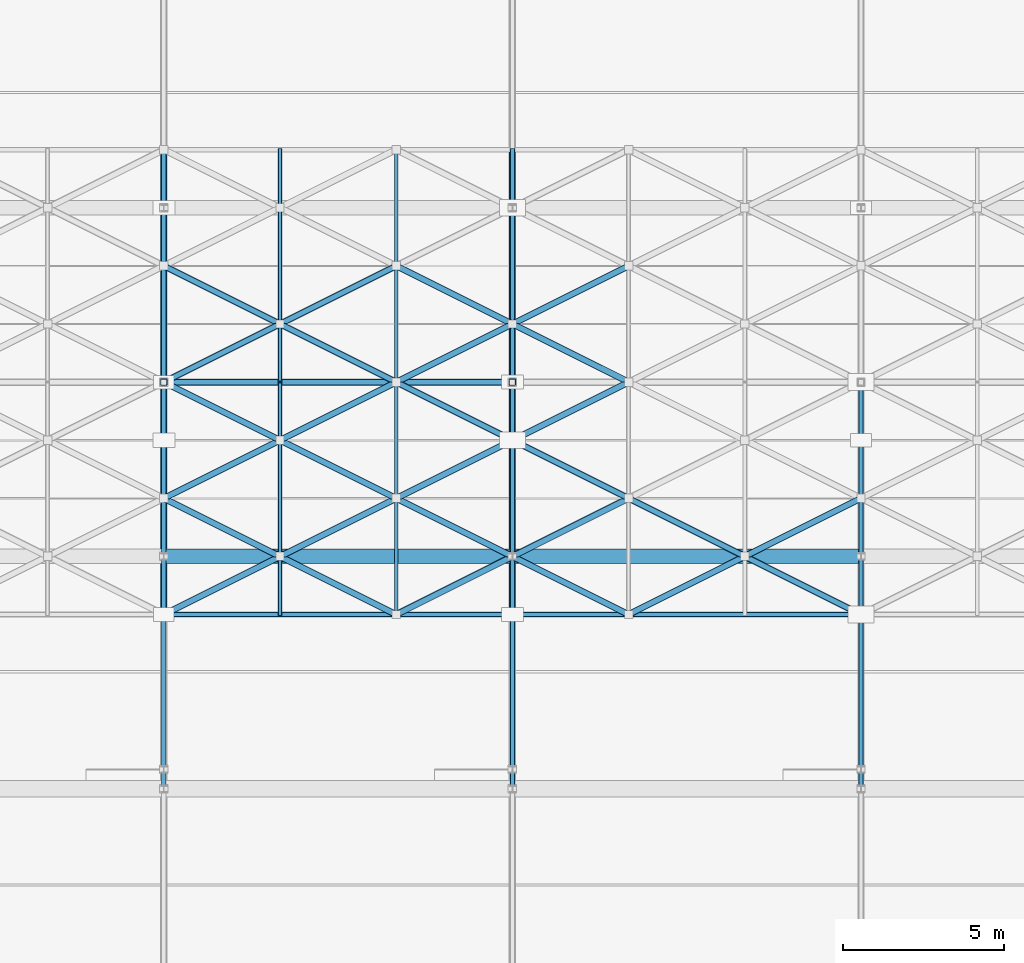
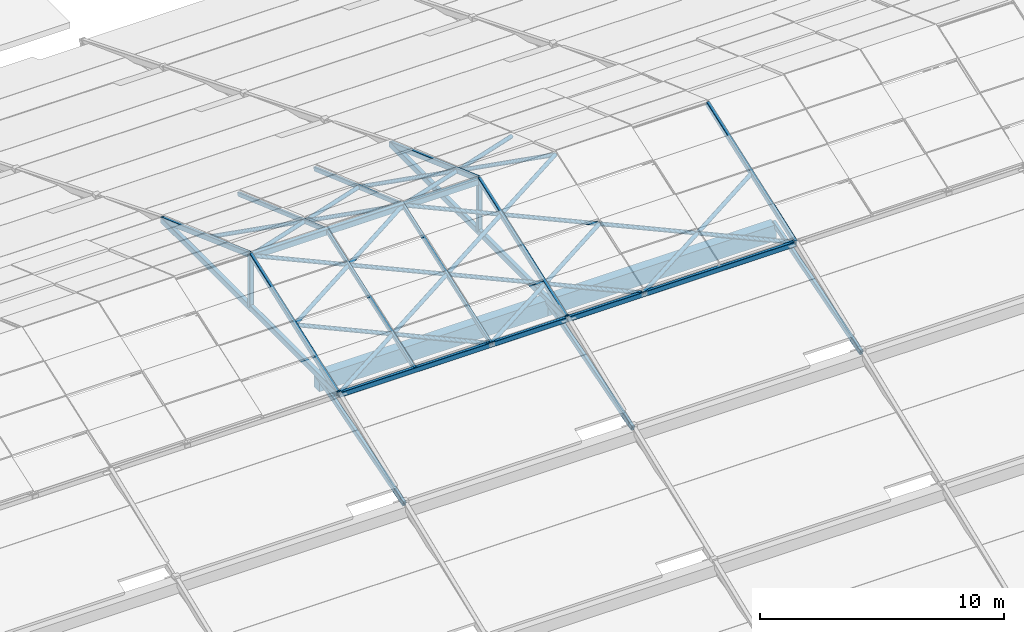
# One storey, part 61 of 112: 47 members, 2 beams.
"""IFC4 building model written with IfcOpenShell, lengths in metres."""

from ifc_helpers import new_model, si_unit, direction, frame, origin, origin_2d, place, context, subcontext, project, spatial, rectangle, hollow_rectangle, hollow_circle, extrude, material, material_profile, profile_set, type_object, element, save


model = new_model("IFC4")

# Units and contexts
model_context = context("Model", 3, precision=1e-05, world=origin(), true_north=direction((0.0, 1.0)))
body_context = subcontext(model_context, "Body", "Model", "MODEL_VIEW")
ifc_project = project(units=[si_unit("LENGTHUNIT", "METRE"), si_unit("AREAUNIT", "SQUARE_METRE"), si_unit("VOLUMEUNIT", "CUBIC_METRE"), si_unit("PLANEANGLEUNIT", "RADIAN"), si_unit("MASSUNIT", "GRAM", prefix="KILO")], contexts=[model_context])

# Site, building, storey
site_placement = place(None, origin())
site = spatial("IfcSite", under=ifc_project, at=site_placement, CompositionType="ELEMENT")
building_placement = place(site_placement, origin())
building = spatial("IfcBuilding", under=site, at=building_placement, Name="Zwinboog Wholesale Market", CompositionType="ELEMENT")
storey_placement = place(building_placement, frame((0.0, 0.0, 19.080078125)))
storey = spatial("IfcBuildingStorey", under=building, at=storey_placement, Name="Roof", CompositionType="ELEMENT", Elevation=19.080078125)

# Beams
ifc_material_1 = material(Name="Precast concrete C45/55", Category="concrete")
ifc_material_profile_1 = material_profile(ifc_material_1, rectangle(XDim=0.449951171875, YDim=0.800048828125, at=origin_2d()), Name="PC 450x800")
ifc_profile_set_1 = profile_set([ifc_material_profile_1], Name="Precast concrete C45/55")
beam_type = type_object("IfcBeamType", Name="BT-07", PredefinedType="BEAM", material=ifc_profile_set_1)
beam_1_placement = place(storey_placement, frame((129.60009765625, 70.199951171875, 0.16796875), z_axis=(1.0, 0.0, 0.0), x_axis=(0.0, 1.0, 0.0)))
element("IfcBeam", 1, at=beam_1_placement, inside=storey, type_object=beam_type, Name="EB-02 (BMG-Roof-1296-0702-1115)", PredefinedType="BEAM", context=body_context, shape_type="SweptSolid", body=[
    extrude(rectangle(XDim=0.449951171875, YDim=0.800048828125, at=origin_2d()), origin(), (0.0, 0.0, 1.0), 10.7998046875),
])
beam_2_placement = place(storey_placement, frame((140.39990234375, 70.199951171875, 0.16796875), z_axis=(1.0, 0.0, 0.0), x_axis=(0.0, 1.0, 0.0)))
element("IfcBeam", 2, at=beam_2_placement, inside=storey, type_object=beam_type, Name="EB-02 (BMG-Roof-1404-0702-1124)", PredefinedType="BEAM", context=body_context, shape_type="SweptSolid", body=[
    extrude(rectangle(XDim=0.449951171875, YDim=0.800048828125, at=origin_2d()), origin(), (0.0, 0.0, 1.0), 10.800048828125),
])

# Members
ifc_material_2 = material(Name="Steel S355", Category="steel")
ifc_material_profile_2 = material_profile(ifc_material_2, hollow_rectangle(XDim=0.199951171875, YDim=0.300048828125, WallThickness=0.012451171875, InnerFilletRadius=0.012451171875, OuterFilletRadius=0.02490234375, at=origin_2d()), Name="RHS 300x200x12.5")
ifc_profile_set_2 = profile_set([ifc_material_profile_2], Name="Steel S355")
member_type_1 = type_object("IfcMemberType", Name="MT-01", PredefinedType="CHORD", material=ifc_profile_set_2)
for number, where, z_axis, x_axis, name in (
    (3, (129.60009765625, 68.39990234375, 0.619873046875), (0.0, 1.0, 0.0), (-1.0, 0.0, 0.0), "DC-01 (MEM-Roof-0207)"),
    (4, (140.39990234375, 68.39990234375, 0.619873046875), (0.0, 1.0, 0.0), (-1.0, 0.0, 0.0), "DC-01 (MEM-Roof-0237)"),
):
    element("IfcMember", number, at=place(storey_placement, frame(where, z_axis=z_axis, x_axis=x_axis)), inside=storey, type_object=member_type_1, Name=name, PredefinedType="CHORD", context=body_context, shape_type="SweptSolid", body=[
        extrude(hollow_rectangle(XDim=0.199951171875, YDim=0.300048828125, WallThickness=0.012451171875, InnerFilletRadius=0.012451171875, OuterFilletRadius=0.02490234375, at=origin_2d()), origin(), (0.0, 0.0, 1.0), 14.400146484375),
    ])
member_1_placement = place(storey_placement, frame((129.60009765625, 75.60009765625, 3.139892578125), z_axis=(1.0, 0.0, 0.0), x_axis=(0.0, 1.0, 0.0)))
element("IfcMember", 5, at=member_1_placement, inside=storey, type_object=member_type_1, Name="DC-01 (MEM-Roof-0349)", PredefinedType="CHORD", context=body_context, shape_type="SweptSolid", body=[
    extrude(hollow_rectangle(XDim=0.199951171875, YDim=0.300048828125, WallThickness=0.012451171875, InnerFilletRadius=0.012451171875, OuterFilletRadius=0.02490234375, at=origin_2d()), origin(), (0.0, 0.0, 1.0), 10.7998046875),
])
ifc_material_profile_3 = material_profile(ifc_material_2, hollow_rectangle(XDim=0.14990234375, YDim=0.25, WallThickness=0.010009765625, InnerFilletRadius=0.010009765625, OuterFilletRadius=0.02001953125, at=origin_2d()), Name="RHS 250x150x10")
ifc_profile_set_3 = profile_set([ifc_material_profile_3], Name="Steel S355")
member_type_2 = type_object("IfcMemberType", Name="MT-02", PredefinedType="CHORD", material=ifc_profile_set_3)
member_2_placement = place(storey_placement, frame((129.60009765625, 63.0, -1.60009765625), z_axis=(0.0, 0.958194819429, 0.286116563694), x_axis=(-1.0, 0.0, 0.0)))
element("IfcMember", 6, at=member_2_placement, inside=storey, type_object=member_type_2, Name="DC-02 (MEM-Roof-0193)", PredefinedType="CHORD", context=body_context, shape_type="SweptSolid", body=[
    extrude(hollow_rectangle(XDim=0.14990234375, YDim=0.25, WallThickness=0.010009765625, InnerFilletRadius=0.010009765625, OuterFilletRadius=0.02001953125, at=origin_2d()), origin(), (0.0, 0.0, 1.0), 7.51416015625),
])
member_3_placement = place(storey_placement, frame((129.60009765625, 68.39990234375, 0.619873046875), z_axis=(0.0, 0.940552767691, 0.339647598532), x_axis=(-1.0, 0.0, 0.0)))
element("IfcMember", 7, at=member_3_placement, inside=storey, type_object=member_type_2, Name="DC-02 (MEM-Roof-0209)", PredefinedType="CHORD", context=body_context, shape_type="SweptSolid", body=[
    extrude(hollow_rectangle(XDim=0.14990234375, YDim=0.25, WallThickness=0.010009765625, InnerFilletRadius=0.010009765625, OuterFilletRadius=0.02001953125, at=origin_2d()), origin(), (0.0, 0.0, 1.0), 7.6552734375),
])
member_4_placement = place(storey_placement, frame((129.60009765625, 82.800048828125, 0.619873046875), z_axis=(0.0, -0.940549088473, 0.339657786858), x_axis=(1.0, 0.0, 0.0)))
element("IfcMember", 8, at=member_4_placement, inside=storey, type_object=member_type_2, Name="DC-02 (MEM-Roof-0210)", PredefinedType="CHORD", context=body_context, shape_type="SweptSolid", body=[
    extrude(hollow_rectangle(XDim=0.14990234375, YDim=0.25, WallThickness=0.010009765625, InnerFilletRadius=0.010009765625, OuterFilletRadius=0.02001953125, at=origin_2d()), origin(), (0.0, 0.0, 1.0), 7.655029296875),
])
member_5_placement = place(storey_placement, frame((140.39990234375, 63.0, -1.60009765625), z_axis=(0.0, 0.958194819429, 0.286116563694), x_axis=(-1.0, 0.0, 0.0)))
element("IfcMember", 9, at=member_5_placement, inside=storey, type_object=member_type_2, Name="DC-02 (MEM-Roof-0223)", PredefinedType="CHORD", context=body_context, shape_type="SweptSolid", body=[
    extrude(hollow_rectangle(XDim=0.14990234375, YDim=0.25, WallThickness=0.010009765625, InnerFilletRadius=0.010009765625, OuterFilletRadius=0.02001953125, at=origin_2d()), origin(), (0.0, 0.0, 1.0), 7.51416015625),
])
member_6_placement = place(storey_placement, frame((140.39990234375, 68.39990234375, 0.619873046875), z_axis=(0.0, 0.940552767691, 0.339647598532), x_axis=(-1.0, 0.0, 0.0)))
element("IfcMember", 10, at=member_6_placement, inside=storey, type_object=member_type_2, Name="DC-02 (MEM-Roof-0239)", PredefinedType="CHORD", context=body_context, shape_type="SweptSolid", body=[
    extrude(hollow_rectangle(XDim=0.14990234375, YDim=0.25, WallThickness=0.010009765625, InnerFilletRadius=0.010009765625, OuterFilletRadius=0.02001953125, at=origin_2d()), origin(), (0.0, 0.0, 1.0), 7.6552734375),
])
member_7_placement = place(storey_placement, frame((140.39990234375, 82.800048828125, 0.619873046875), z_axis=(0.0, -0.940549088473, 0.339657786858), x_axis=(1.0, 0.0, 0.0)))
element("IfcMember", 11, at=member_7_placement, inside=storey, type_object=member_type_2, Name="DC-02 (MEM-Roof-0240)", PredefinedType="CHORD", context=body_context, shape_type="SweptSolid", body=[
    extrude(hollow_rectangle(XDim=0.14990234375, YDim=0.25, WallThickness=0.010009765625, InnerFilletRadius=0.010009765625, OuterFilletRadius=0.02001953125, at=origin_2d()), origin(), (0.0, 0.0, 1.0), 7.655029296875),
])
member_8_placement = place(storey_placement, frame((151.199951171875, 63.0, -1.60009765625), z_axis=(0.0, 0.958194819429, 0.286116563694), x_axis=(-1.0, 0.0, 0.0)))
element("IfcMember", 12, at=member_8_placement, inside=storey, type_object=member_type_2, Name="DC-02 (MEM-Roof-0253)", PredefinedType="CHORD", context=body_context, shape_type="SweptSolid", body=[
    extrude(hollow_rectangle(XDim=0.14990234375, YDim=0.25, WallThickness=0.010009765625, InnerFilletRadius=0.010009765625, OuterFilletRadius=0.02001953125, at=origin_2d()), origin(), (0.0, 0.0, 1.0), 7.51416015625),
])
member_9_placement = place(storey_placement, frame((151.199951171875, 68.39990234375, 0.619873046875), z_axis=(0.0, 0.940552767691, 0.339647598532), x_axis=(-1.0, 0.0, 0.0)))
element("IfcMember", 13, at=member_9_placement, inside=storey, type_object=member_type_2, Name="DC-02 (MEM-Roof-0269)", PredefinedType="CHORD", context=body_context, shape_type="SweptSolid", body=[
    extrude(hollow_rectangle(XDim=0.14990234375, YDim=0.25, WallThickness=0.010009765625, InnerFilletRadius=0.010009765625, OuterFilletRadius=0.02001953125, at=origin_2d()), origin(), (0.0, 0.0, 1.0), 7.6552734375),
])
member_10_placement = place(storey_placement, frame((129.60009765625, 68.39990234375, 0.58984375), z_axis=(1.0, 0.0, 0.0), x_axis=(0.0, 1.0, 0.0)))
element("IfcMember", 14, at=member_10_placement, inside=storey, type_object=member_type_2, Name="DC-02 (MEM-Roof-0350)", PredefinedType="CHORD", context=body_context, shape_type="SweptSolid", body=[
    extrude(hollow_rectangle(XDim=0.14990234375, YDim=0.25, WallThickness=0.010009765625, InnerFilletRadius=0.010009765625, OuterFilletRadius=0.02001953125, at=origin_2d()), origin(), (0.0, 0.0, 1.0), 10.7998046875),
])
member_11_placement = place(storey_placement, frame((140.39990234375, 68.39990234375, 0.58984375), z_axis=(1.0, 0.0, 0.0), x_axis=(0.0, 1.0, 0.0)))
element("IfcMember", 15, at=member_11_placement, inside=storey, type_object=member_type_2, Name="DC-02 (MEM-Roof-0353)", PredefinedType="CHORD", context=body_context, shape_type="SweptSolid", body=[
    extrude(hollow_rectangle(XDim=0.14990234375, YDim=0.25, WallThickness=0.010009765625, InnerFilletRadius=0.010009765625, OuterFilletRadius=0.02001953125, at=origin_2d()), origin(), (0.0, 0.0, 1.0), 10.800048828125),
])
ifc_material_profile_4 = material_profile(ifc_material_2, hollow_rectangle(XDim=0.1201171875, YDim=0.199951171875, WallThickness=0.008056640625, InnerFilletRadius=0.008056640625, OuterFilletRadius=0.01611328125, at=origin_2d()), Name="RHS 200x120x8")
ifc_profile_set_4 = profile_set([ifc_material_profile_4], Name="Steel S355")
member_type_3 = type_object("IfcMemberType", Name="MT-03", PredefinedType="CHORD", material=ifc_profile_set_4)
member_12_placement = place(storey_placement, frame((133.199951171875, 68.39990234375, 0.6298828125), z_axis=(0.0, 0.942628063348, 0.333844775589), x_axis=(-1.0, 0.0, 0.0)))
element("IfcMember", 16, at=member_12_placement, inside=storey, type_object=member_type_3, Name="DC-03 (MEM-Roof-0551)", PredefinedType="CHORD", context=body_context, shape_type="SweptSolid", body=[
    extrude(hollow_rectangle(XDim=0.1201171875, YDim=0.199951171875, WallThickness=0.008056640625, InnerFilletRadius=0.008056640625, OuterFilletRadius=0.01611328125, at=origin_2d()), origin(), (0.0, 0.0, 1.0), 7.638427734375),
])
member_13_placement = place(storey_placement, frame((133.199951171875, 82.800048828125, 0.6298828125), z_axis=(0.0, -0.94262450093, 0.333854834092), x_axis=(1.0, 0.0, 0.0)))
element("IfcMember", 17, at=member_13_placement, inside=storey, type_object=member_type_3, Name="DC-03 (MEM-Roof-0552)", PredefinedType="CHORD", context=body_context, shape_type="SweptSolid", body=[
    extrude(hollow_rectangle(XDim=0.1201171875, YDim=0.199951171875, WallThickness=0.008056640625, InnerFilletRadius=0.008056640625, OuterFilletRadius=0.01611328125, at=origin_2d()), origin(), (0.0, 0.0, 1.0), 7.63818359375),
])
member_14_placement = place(storey_placement, frame((136.800048828125, 68.39990234375, 0.6298828125), z_axis=(0.0, 0.942628063348, 0.333844775589), x_axis=(-1.0, 0.0, 0.0)))
element("IfcMember", 18, at=member_14_placement, inside=storey, type_object=member_type_3, Name="DC-03 (MEM-Roof-0561)", PredefinedType="CHORD", context=body_context, shape_type="SweptSolid", body=[
    extrude(hollow_rectangle(XDim=0.1201171875, YDim=0.199951171875, WallThickness=0.008056640625, InnerFilletRadius=0.008056640625, OuterFilletRadius=0.01611328125, at=origin_2d()), origin(), (0.0, 0.0, 1.0), 7.638427734375),
])
member_15_placement = place(storey_placement, frame((136.800048828125, 82.800048828125, 0.6298828125), z_axis=(0.0, -0.94262450093, 0.333854834092), x_axis=(1.0, 0.0, 0.0)))
element("IfcMember", 19, at=member_15_placement, inside=storey, type_object=member_type_3, Name="DC-03 (MEM-Roof-0562)", PredefinedType="CHORD", context=body_context, shape_type="SweptSolid", body=[
    extrude(hollow_rectangle(XDim=0.1201171875, YDim=0.199951171875, WallThickness=0.008056640625, InnerFilletRadius=0.008056640625, OuterFilletRadius=0.01611328125, at=origin_2d()), origin(), (0.0, 0.0, 1.0), 7.63818359375),
])
ifc_material_profile_5 = material_profile(ifc_material_2, hollow_rectangle(XDim=0.199951171875, YDim=0.199951171875, WallThickness=0.010009765625, InnerFilletRadius=0.010009765625, OuterFilletRadius=0.02001953125, at=origin_2d()), Name="SHS 200x200x10")
ifc_profile_set_5 = profile_set([ifc_material_profile_5], Name="Steel S355")
member_type_4 = type_object("IfcMemberType", Name="MT-04", PredefinedType="BRACE", material=ifc_profile_set_5)
for number, where, z_axis, x_axis, name in (
    (20, (129.60009765625, 75.60009765625, 0.619873046875), (0.0, 0.0, 1.0), (1.0, 0.0, 0.0), "DB-01 (MEM-Roof-0208)"),
    (21, (140.39990234375, 75.60009765625, 0.619873046875), (0.0, 0.0, 1.0), (1.0, 0.0, 0.0), "DB-01 (MEM-Roof-0238)"),
):
    element("IfcMember", number, at=place(storey_placement, frame(where, z_axis=z_axis, x_axis=x_axis)), inside=storey, type_object=member_type_4, Name=name, PredefinedType="BRACE", context=body_context, shape_type="SweptSolid", body=[
        extrude(hollow_rectangle(XDim=0.199951171875, YDim=0.199951171875, WallThickness=0.010009765625, InnerFilletRadius=0.010009765625, OuterFilletRadius=0.02001953125, at=origin_2d()), origin(), (0.0, 0.0, 1.0), 2.60009765625),
    ])
ifc_material_profile_6 = material_profile(ifc_material_2, hollow_circle(Radius=0.096923828125, WallThickness=0.010009765625, at=origin_2d()), Name="CHS 193.7x10")
ifc_profile_set_6 = profile_set([ifc_material_profile_6], Name="Steel S355")
member_type_5 = type_object("IfcMemberType", Name="MT-06", PredefinedType="BRACE", material=ifc_profile_set_6)
for number, where, z_axis, x_axis, name in (
    (22, (129.60009765625, 68.39990234375, 0.6298828125), (0.883403888637, 0.441731900368, 0.15643048852), (-0.447237858884, 0.894415058897, 0.0), "DB-03 (MEM-Roof-0543)"),
    (23, (129.60009765625, 72.0, 1.905029296875), (0.883395607837, -0.441727759687, -0.156488933718), (0.447237858884, 0.894415058897, 0.0), "DB-03 (MEM-Roof-0544)"),
    (24, (129.60009765625, 72.0, 1.905029296875), (0.883403888637, 0.441731900368, 0.15643048852), (-0.447237858884, 0.894415058897, 0.0), "DB-03 (MEM-Roof-0545)"),
    (25, (129.60009765625, 75.60009765625, 3.179931640625), (0.883403888637, -0.441731900368, -0.15643048852), (0.447237858884, 0.894415058897, 0.0), "DB-03 (MEM-Roof-0546)"),
    (26, (129.60009765625, 75.60009765625, 3.179931640625), (0.883427267339, 0.441683676827, -0.15643462835), (-0.447189331129, 0.894439322774, 0.0), "DB-03 (MEM-Roof-0547)"),
    (27, (129.60009765625, 79.199951171875, 1.905029296875), (0.883403888637, -0.441731900368, 0.15643048852), (0.447237858884, 0.894415058897, 0.0), "DB-03 (MEM-Roof-0548)"),
):
    element("IfcMember", number, at=place(storey_placement, frame(where, z_axis=z_axis, x_axis=x_axis)), inside=storey, type_object=member_type_5, Name=name, PredefinedType="BRACE", context=body_context, shape_type="SweptSolid", body=[
        extrude(hollow_circle(Radius=0.096923828125, WallThickness=0.010009765625, at=origin_2d()), origin(), (0.0, 0.0, 1.0), 4.074951171875),
    ])
for number, where, z_axis, x_axis, name in (
    (28, (133.199951171875, 70.199951171875, 1.267333984375), (0.883417044144, -0.441708522072, -0.156422209566), (0.4472135955, 0.894427191, 0.0), "DB-03 (MEM-Roof-0553)"),
    (29, (133.199951171875, 70.199951171875, 1.267333984375), (0.883408764097, 0.441704382048, 0.156480651826), (-0.4472135955, 0.894427191, 0.0), "DB-03 (MEM-Roof-0554)"),
    (30, (133.199951171875, 73.800048828125, 2.54248046875), (0.883417044144, -0.441708522072, -0.156422209566), (0.4472135955, 0.894427191, 0.0), "DB-03 (MEM-Roof-0555)"),
    (31, (133.199951171875, 73.800048828125, 2.54248046875), (0.883417044144, 0.441708522072, 0.156422209566), (-0.4472135955, 0.894427191, 0.0), "DB-03 (MEM-Roof-0556)"),
    (32, (133.199951171875, 77.39990234375, 2.54248046875), (0.883440420719, -0.441660299847, 0.156426348738), (0.447165069061, 0.894451452574, 0.0), "DB-03 (MEM-Roof-0557)"),
    (33, (133.199951171875, 77.39990234375, 2.54248046875), (0.883417044144, 0.441708522072, -0.156422209566), (-0.4472135955, 0.894427191, 0.0), "DB-03 (MEM-Roof-0558)"),
):
    element("IfcMember", number, at=place(storey_placement, frame(where, z_axis=z_axis, x_axis=x_axis)), inside=storey, type_object=member_type_5, Name=name, PredefinedType="BRACE", context=body_context, shape_type="SweptSolid", body=[
        extrude(hollow_circle(Radius=0.096923828125, WallThickness=0.010009765625, at=origin_2d()), origin(), (0.0, 0.0, 1.0), 4.0751953125),
    ])
for number, where, z_axis, x_axis, name in (
    (34, (136.800048828125, 68.39990234375, 0.6298828125), (0.883403888637, 0.441731900368, 0.15643048852), (-0.447237858884, 0.894415058897, 0.0), "DB-03 (MEM-Roof-0563)"),
    (35, (136.800048828125, 72.0, 1.905029296875), (0.883395607837, -0.441727759687, -0.156488933718), (0.447237858884, 0.894415058897, 0.0), "DB-03 (MEM-Roof-0564)"),
    (36, (136.800048828125, 72.0, 1.905029296875), (0.883403888637, 0.441731900368, 0.15643048852), (-0.447237858884, 0.894415058897, 0.0), "DB-03 (MEM-Roof-0565)"),
    (37, (136.800048828125, 75.60009765625, 3.179931640625), (0.883403888637, -0.441731900368, -0.15643048852), (0.447237858884, 0.894415058897, 0.0), "DB-03 (MEM-Roof-0566)"),
    (38, (136.800048828125, 75.60009765625, 3.179931640625), (0.883427267339, 0.441683676827, -0.15643462835), (-0.447189331129, 0.894439322774, 0.0), "DB-03 (MEM-Roof-0567)"),
    (39, (136.800048828125, 79.199951171875, 1.905029296875), (0.883403888637, -0.441731900368, 0.15643048852), (0.447237858884, 0.894415058897, 0.0), "DB-03 (MEM-Roof-0568)"),
):
    element("IfcMember", number, at=place(storey_placement, frame(where, z_axis=z_axis, x_axis=x_axis)), inside=storey, type_object=member_type_5, Name=name, PredefinedType="BRACE", context=body_context, shape_type="SweptSolid", body=[
        extrude(hollow_circle(Radius=0.096923828125, WallThickness=0.010009765625, at=origin_2d()), origin(), (0.0, 0.0, 1.0), 4.074951171875),
    ])
for number, where, z_axis, x_axis, name in (
    (40, (140.39990234375, 70.199951171875, 1.267333984375), (0.883417044144, -0.441708522072, -0.156422209566), (0.4472135955, 0.894427191, 0.0), "DB-03 (MEM-Roof-0573)"),
    (41, (140.39990234375, 70.199951171875, 1.267333984375), (0.883408764097, 0.441704382048, 0.156480651826), (-0.4472135955, 0.894427191, 0.0), "DB-03 (MEM-Roof-0574)"),
    (42, (140.39990234375, 73.800048828125, 2.54248046875), (0.883417044144, -0.441708522072, -0.156422209566), (0.4472135955, 0.894427191, 0.0), "DB-03 (MEM-Roof-0575)"),
    (43, (140.39990234375, 73.800048828125, 2.54248046875), (0.883417044144, 0.441708522072, 0.156422209566), (-0.4472135955, 0.894427191, 0.0), "DB-03 (MEM-Roof-0576)"),
    (44, (140.39990234375, 77.39990234375, 2.54248046875), (0.883440420719, -0.441660299847, 0.156426348738), (0.447165069061, 0.894451452574, 0.0), "DB-03 (MEM-Roof-0577)"),
    (45, (140.39990234375, 77.39990234375, 2.54248046875), (0.883417044144, 0.441708522072, -0.156422209566), (-0.4472135955, 0.894427191, 0.0), "DB-03 (MEM-Roof-0578)"),
    (46, (144.0, 68.39990234375, 0.6298828125), (0.883417044144, 0.441708522072, 0.156422209566), (-0.4472135955, 0.894427191, 0.0), "DB-03 (MEM-Roof-0583)"),
    (47, (144.0, 72.0, 1.905029296875), (0.883408764097, -0.441704382048, -0.156480651826), (0.4472135955, 0.894427191, 0.0), "DB-03 (MEM-Roof-0584)"),
):
    element("IfcMember", number, at=place(storey_placement, frame(where, z_axis=z_axis, x_axis=x_axis)), inside=storey, type_object=member_type_5, Name=name, PredefinedType="BRACE", context=body_context, shape_type="SweptSolid", body=[
        extrude(hollow_circle(Radius=0.096923828125, WallThickness=0.010009765625, at=origin_2d()), origin(), (0.0, 0.0, 1.0), 4.0751953125),
    ])
for number, where, z_axis, x_axis, name in (
    (48, (147.60009765625, 70.199951171875, 1.267333984375), (0.883403888637, -0.441731900368, -0.15643048852), (0.447237858884, 0.894415058897, 0.0), "DB-03 (MEM-Roof-0593)"),
    (49, (147.60009765625, 70.199951171875, 1.267333984375), (0.883395607837, 0.441727759687, 0.156488933718), (-0.447237858884, 0.894415058897, 0.0), "DB-03 (MEM-Roof-0594)"),
):
    element("IfcMember", number, at=place(storey_placement, frame(where, z_axis=z_axis, x_axis=x_axis)), inside=storey, type_object=member_type_5, Name=name, PredefinedType="BRACE", context=body_context, shape_type="SweptSolid", body=[
        extrude(hollow_circle(Radius=0.096923828125, WallThickness=0.010009765625, at=origin_2d()), origin(), (0.0, 0.0, 1.0), 4.074951171875),
    ])

save(model, "model.ifc")
